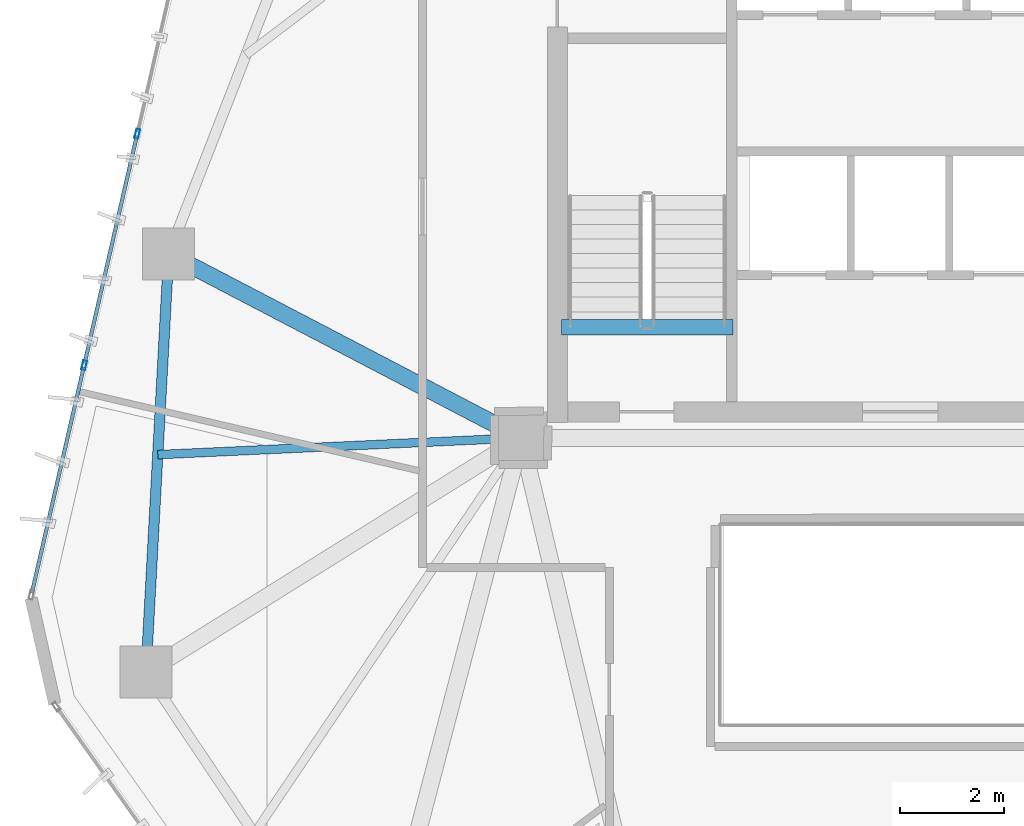
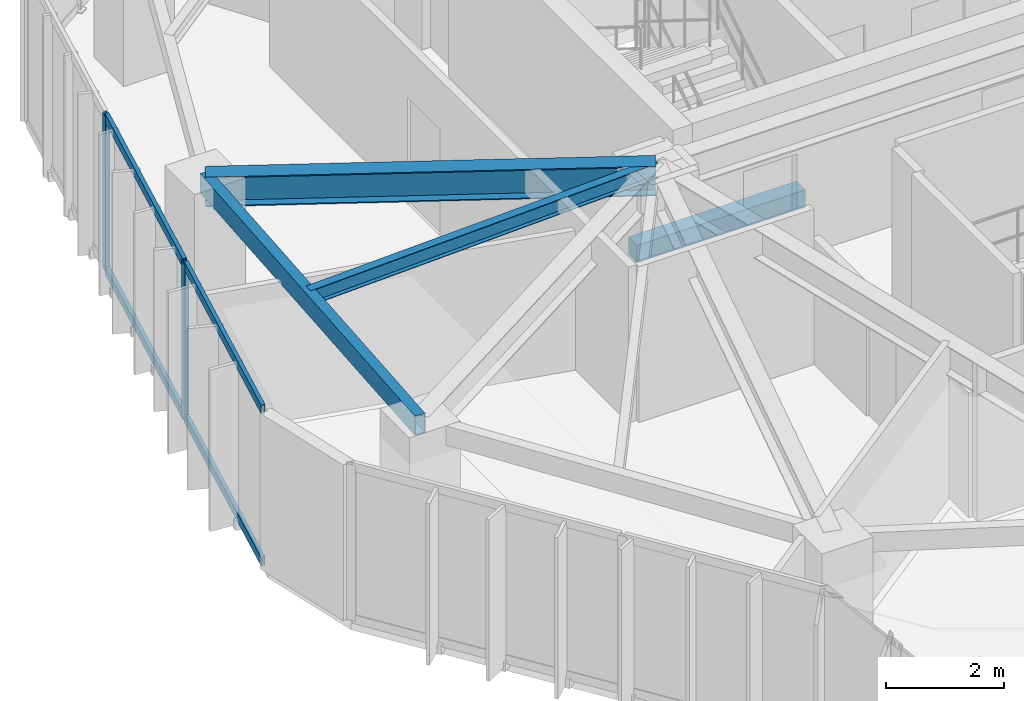
# One storey, part 6 of 18: 6 members, 4 beams, 1 element without a shape of its own.
"""IFC4 building model written with IfcOpenShell, lengths in metres."""

from ifc_helpers import new_model, si_unit, direction, frame, origin, origin_2d, place, context, subcontext, project, spatial, rectangle, hollow_rectangle, i_section, extrude, source, transform, mapped, material, layer, layer_set, material_profile, profile_set, type_object, type_shapes, element, aggregate, save


model = new_model("IFC4")

# Units and contexts
model_context = context("Model", 3, precision=1e-05, world=origin(), true_north=direction((0.0, 1.0)))
body_context = subcontext(model_context, "Body", "Model", "MODEL_VIEW")
ifc_project = project(units=[si_unit("LENGTHUNIT", "METRE"), si_unit("AREAUNIT", "SQUARE_METRE"), si_unit("VOLUMEUNIT", "CUBIC_METRE"), si_unit("PLANEANGLEUNIT", "RADIAN"), si_unit("MASSUNIT", "GRAM", prefix="KILO")], contexts=[model_context])

# Site, building, storey
site_placement = place(None, origin())
site = spatial("IfcSite", under=ifc_project, at=site_placement, CompositionType="ELEMENT")
building_placement = place(site_placement, origin())
building = spatial("IfcBuilding", under=site, at=building_placement, Name="Talar Marvaseh", CompositionType="ELEMENT")
storey_placement = place(building_placement, frame((0.0, 0.0, 188.0)))
storey = spatial("IfcBuildingStorey", under=building, at=storey_placement, Name="L49", CompositionType="ELEMENT", Elevation=188.0)

# Beams
ifc_material_1 = material(Name="Concrete C40/50", Category="concrete")
ifc_material_profile_1 = material_profile(ifc_material_1, rectangle(XDim=0.300048828125, YDim=0.360107421875, at=origin_2d()), Name="RC300x360")
ifc_profile_set_1 = profile_set([ifc_material_profile_1], Name="Concrete C40/50")
beam_type_1 = type_object("IfcBeamType", Name="Concrete Stair Landing Trimmer Beam RC300x360", PredefinedType="SPANDREL", material=ifc_profile_set_1)
beam_1_placement = place(storey_placement, frame((22.780029296875, 27.6298828125, -0.179931640625), z_axis=(-1.0, 0.0, 0.0), x_axis=(0.0, -1.0, 0.0)))
element("IfcBeam", 1, at=beam_1_placement, inside=storey, type_object=beam_type_1, Name="L49 ST-1 Stair Nosing Trimmer Beam", PredefinedType="SPANDREL", context=body_context, shape_type="SweptSolid", body=[
    extrude(rectangle(XDim=0.300048828125, YDim=0.360107421875, at=origin_2d()), origin(), (0.0, 0.0, 1.0), 3.300048828125),
])
ifc_material_2 = material(Name="Steel S355", Category="steel")
ifc_material_profile_2 = material_profile(ifc_material_2, hollow_rectangle(XDim=0.199951171875, YDim=0.39990234375, WallThickness=0.013916015625, at=origin_2d()), Name="RHS400x200x14")
ifc_profile_set_2 = profile_set([ifc_material_profile_2], Name="Steel S355")
beam_type_2 = type_object("IfcBeamType", Name="Zone 3 Perimeter Spandrel Beam RHS400x200x14", PredefinedType="SPANDREL", material=ifc_profile_set_2)
beam_2_placement = place(storey_placement, frame((11.471923828125, 20.986083984375, 3.030029296875), z_axis=(0.054148078426, 0.998532916635, 0.0), x_axis=(-0.998532916635, 0.054148078426, 0.0)))
element("IfcBeam", 2, at=beam_2_placement, inside=storey, type_object=beam_type_2, Name="L49 Zone 3 Perimeter Spandrel Beam RHS400x200x14", PredefinedType="SPANDREL", context=body_context, shape_type="SweptSolid", body=[
    extrude(hollow_rectangle(XDim=0.199951171875, YDim=0.39990234375, WallThickness=0.013916015625, at=origin_2d()), origin(), (0.0, 0.0, 1.0), 8.070556640625),
])
ifc_material_profile_3 = material_profile(ifc_material_2, i_section(OverallWidth=0.324951171875, OverallDepth=0.615966796875, WebThickness=0.013916015625, FlangeThickness=0.021484375, at=origin_2d()), Name="W610x174")
ifc_profile_set_3 = profile_set([ifc_material_profile_3], Name="Steel S355")
beam_type_3 = type_object("IfcBeamType", Name="Zone 3 Radial Floor Girder W610x174", PredefinedType="BEAM", material=ifc_profile_set_3)
beam_3_placement = place(storey_placement, frame((11.908935546875, 29.044921875, 2.922119140625), z_axis=(0.886489360055, -0.462748975697, 0.0), x_axis=(0.462748975697, 0.886489360055, 0.0)))
element("IfcBeam", 3, at=beam_3_placement, inside=storey, type_object=beam_type_3, Name="L49 Zone 3 Radial Floor Girder W610x174", PredefinedType="BEAM", context=body_context, shape_type="SweptSolid", body=[
    extrude(i_section(OverallWidth=0.324951171875, OverallDepth=0.615966796875, WebThickness=0.013916015625, FlangeThickness=0.021484375, at=origin_2d()), origin(), (0.0, 0.0, 1.0), 7.66064453125),
])
ifc_material_profile_4 = material_profile(ifc_material_2, i_section(OverallWidth=0.166015625, OverallDepth=0.31298828125, WebThickness=0.006591796875, FlangeThickness=0.01123046875, at=origin_2d()), Name="W310x45")
ifc_profile_set_4 = profile_set([ifc_material_profile_4], Name="Steel S355")
beam_type_4 = type_object("IfcBeamType", Name="Zone 3 Secondary Floor Joist W310x45", PredefinedType="JOIST", material=ifc_profile_set_4)
beam_4_placement = place(storey_placement, frame((11.69921875, 25.1767578125, 3.073486328125), z_axis=(0.998935745755, 0.046123484826, 0.0), x_axis=(-0.046123484826, 0.998935745755, 0.0)))
element("IfcBeam", 4, at=beam_4_placement, inside=storey, type_object=beam_type_4, Name="L49 Zone 3 Secondary Floor Joist W310x45", PredefinedType="JOIST", context=body_context, shape_type="SweptSolid", body=[
    extrude(i_section(OverallWidth=0.166015625, OverallDepth=0.31298828125, WebThickness=0.006591796875, FlangeThickness=0.01123046875, at=origin_2d()), origin(), (0.0, 0.0, 1.0), 7.00830078125),
])

# Curtain wall, members
ifc_material_3 = material(Name="Architectural Aluminium", Category="aluminium")
ifc_layer = layer(ifc_material_3, 0.18994140625)
ifc_layer_set = layer_set([ifc_layer], Name="Architectural Aluminium")
curtain_wall_type = type_object("IfcCurtainWallType", Name="Unitised Solar Atelier Curtain Wall Z3", PredefinedType="NOTDEFINED", material=ifc_layer_set)
curtain_wall_placement = place(storey_placement, origin())
curtain_wall = element("IfcCurtainWall", 5, at=curtain_wall_placement, inside=storey, type_object=curtain_wall_type, Name="L49 Unitised Solar Atelier Curtain Wall Z3", PredefinedType="NOTDEFINED")
ifc_material_profile_5 = material_profile(ifc_material_3, hollow_rectangle(XDim=0.074951171875, YDim=0.179931640625, WallThickness=0.0048828125, at=origin_2d()), Name="RHS180x75x5")
ifc_profile_set_5 = profile_set([ifc_material_profile_5], Name="Architectural Aluminium")
member_type_1 = type_object("IfcMemberType", Name="Unitised Curtain Wall Standard Mullion RHS180x75x5", PredefinedType="MULLION", material=ifc_profile_set_5)
shared_shape_1 = source(origin(), body_context, "Body", "SweptSolid", [
    extrude(hollow_rectangle(XDim=0.074951171875, YDim=0.179931640625, WallThickness=0.0048828125, at=origin_2d()), origin(), (0.0, 0.0, 1.0), 3.22998046875),
])
type_shapes(member_type_1, [shared_shape_1])
member_1_placement = place(storey_placement, frame((10.28125, 26.899169921875, 0.0), z_axis=(0.0, 0.0, 1.0), x_axis=(-0.97463596789, 0.223796179806, 0.0)))
member_1 = element("IfcMember", 6, at=member_1_placement, type_object=member_type_1, Name="CW-Z3 mullion 2", PredefinedType="MULLION", context=body_context, shape_type="MappedRepresentation", body=[
    mapped(shared_shape_1, transform((0.0, 0.0, 0.0), x_axis=(1.0, 0.0, 0.0), y_axis=(0.0, 1.0, 0.0), z_axis=(0.0, 0.0, 1.0), scale=1.0)),
])
member_2_placement = place(storey_placement, frame((11.3056640625, 31.3603515625, 0.0), z_axis=(0.0, 0.0, 1.0), x_axis=(-0.97463596789, 0.223796179806, 0.0)))
member_2 = element("IfcMember", 7, at=member_2_placement, type_object=member_type_1, Name="CW-Z3 mullion 3", PredefinedType="MULLION", context=body_context, shape_type="MappedRepresentation", body=[
    mapped(shared_shape_1, transform((0.0, 0.0, 0.0), x_axis=(1.0, 0.0, 0.0), y_axis=(0.0, 1.0, 0.0), z_axis=(0.0, 0.0, 1.0), scale=1.0)),
])
ifc_material_profile_6 = material_profile(ifc_material_3, hollow_rectangle(XDim=0.074951171875, YDim=0.179931640625, WallThickness=0.0048828125, at=origin_2d()), Name="RHS180x75x5")
ifc_profile_set_6 = profile_set([ifc_material_profile_6], Name="Architectural Aluminium")
member_type_2 = type_object("IfcMemberType", Name="Unitised Curtain Wall Transom RHS180x75x5", PredefinedType="USERDEFINED", material=ifc_profile_set_6)
shared_shape_2 = source(origin(), body_context, "Body", "SweptSolid", [
    extrude(hollow_rectangle(XDim=0.074951171875, YDim=0.179931640625, WallThickness=0.0048828125, at=origin_2d()), origin(), (0.0, 0.0, 1.0), 4.502197265625),
])
member_3_placement = place(storey_placement, frame((10.289794921875, 26.935791015625, 0.03759765625), z_axis=(0.22379797149, 0.974635556481, 0.0), x_axis=(-0.974635556481, 0.22379797149, 0.0)))
member_3 = element("IfcMember", 8, at=member_3_placement, type_object=member_type_2, Name="CW-Z3 transom 2.1", ObjectType="TRANSOM", PredefinedType="USERDEFINED", context=body_context, shape_type="MappedRepresentation", body=[
    mapped(shared_shape_2, transform((0.0, 0.0, 0.0), x_axis=(1.0, 0.0, 0.0), y_axis=(0.0, 1.0, 0.0), z_axis=(0.0, 0.0, 1.0), scale=1.0)),
])
member_4_placement = place(storey_placement, frame((10.289794921875, 26.935791015625, 3.1923828125), z_axis=(0.22379797149, 0.974635556481, 0.0), x_axis=(-0.974635556481, 0.22379797149, 0.0)))
member_4 = element("IfcMember", 9, at=member_4_placement, type_object=member_type_2, Name="CW-Z3 transom 2.2", ObjectType="TRANSOM", PredefinedType="USERDEFINED", context=body_context, shape_type="MappedRepresentation", body=[
    mapped(shared_shape_2, transform((0.0, 0.0, 0.0), x_axis=(1.0, 0.0, 0.0), y_axis=(0.0, 1.0, 0.0), z_axis=(0.0, 0.0, 1.0), scale=1.0)),
])
shared_shape_3 = source(origin(), body_context, "Body", "SweptSolid", [
    extrude(hollow_rectangle(XDim=0.074951171875, YDim=0.179931640625, WallThickness=0.0048828125, at=origin_2d()), origin(), (0.0, 0.0, 1.0), 4.46484375),
])
type_shapes(member_type_2, [shared_shape_2, shared_shape_3])
member_5_placement = place(storey_placement, frame((9.273681640625, 22.51123046875, 0.03759765625), z_axis=(0.223809072018, 0.974633007487, 0.0), x_axis=(-0.974633007487, 0.223809072018, 0.0)))
member_5 = element("IfcMember", 10, at=member_5_placement, type_object=member_type_2, Name="CW-Z3 transom 1.1", ObjectType="TRANSOM", PredefinedType="USERDEFINED", context=body_context, shape_type="MappedRepresentation", body=[
    mapped(shared_shape_3, transform((0.0, 0.0, 0.0), x_axis=(1.0, 0.0, 0.0), y_axis=(0.0, 1.0, 0.0), z_axis=(0.0, 0.0, 1.0), scale=1.0)),
])
member_6_placement = place(storey_placement, frame((9.273681640625, 22.51123046875, 3.1923828125), z_axis=(0.223809072018, 0.974633007487, 0.0), x_axis=(-0.974633007487, 0.223809072018, 0.0)))
member_6 = element("IfcMember", 11, at=member_6_placement, type_object=member_type_2, Name="CW-Z3 transom 1.2", ObjectType="TRANSOM", PredefinedType="USERDEFINED", context=body_context, shape_type="MappedRepresentation", body=[
    mapped(shared_shape_3, transform((0.0, 0.0, 0.0), x_axis=(1.0, 0.0, 0.0), y_axis=(0.0, 1.0, 0.0), z_axis=(0.0, 0.0, 1.0), scale=1.0)),
])
aggregate(curtain_wall, [member_1, member_2, member_5, member_6, member_3, member_4])

save(model, "model.ifc")
